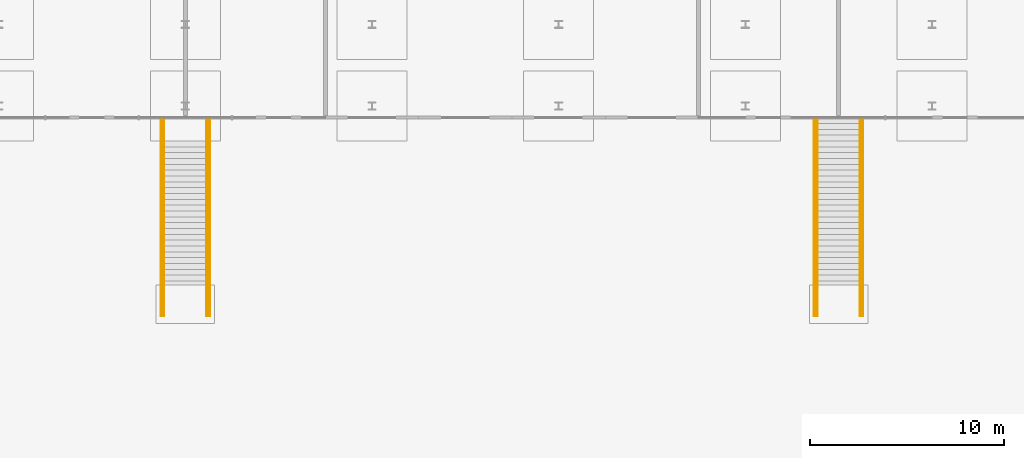
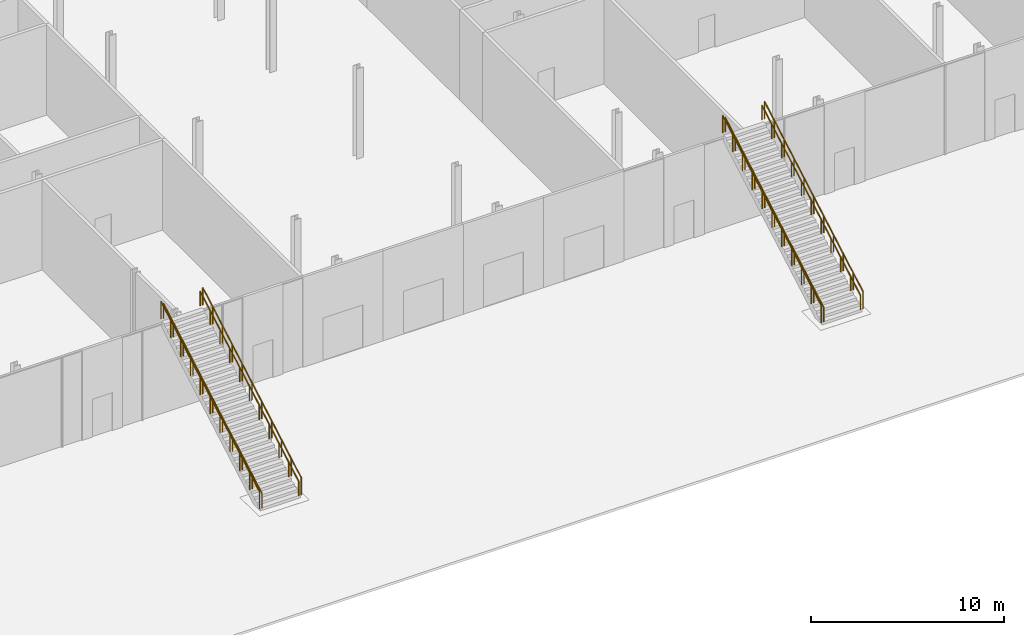
# One storey, part 39 of 44: 8 railings.
"""IFC4 building model written with IfcOpenShell, lengths in metres."""

from ifc_helpers import new_model, si_unit, direction, frame, origin, origin_2d, place, context, subcontext, project, spatial, circle, extrude, material, type_object, element, save


model = new_model("IFC4")

# Units and contexts
model_context = context("Model", 3, precision=1e-05, world=origin(), true_north=direction((0.0, 1.0)))
body_context = subcontext(model_context, "Body", "Model", "MODEL_VIEW")
ifc_project = project(units=[si_unit("LENGTHUNIT", "METRE"), si_unit("AREAUNIT", "SQUARE_METRE"), si_unit("VOLUMEUNIT", "CUBIC_METRE"), si_unit("PLANEANGLEUNIT", "RADIAN"), si_unit("MASSUNIT", "GRAM", prefix="KILO")], contexts=[model_context])

# Site, building, storey
site_placement = place(None, origin())
site = spatial("IfcSite", under=ifc_project, at=site_placement, CompositionType="ELEMENT")
building_placement = place(site_placement, origin())
building = spatial("IfcBuilding", under=site, at=building_placement, Name="Madar Terraces", CompositionType="ELEMENT")
storey_placement = place(building_placement, origin())
storey = spatial("IfcBuildingStorey", under=building, at=storey_placement, Name="L00", CompositionType="ELEMENT", Elevation=0.0)

# Railings
ifc_material_1 = material(Name="Glass, safety glazing, with stainless steel posts", Category="steel")
railing_type_1 = type_object("IfcRailingType", Name="Cascade stair guard 1100", PredefinedType="GUARDRAIL", material=ifc_material_1)
for number, where, name in (
    (1, (13.14990234375, -63.0, 0.17138671875), "Cascade stair guard L01 1"),
    (2, (15.64990234375, -63.0, 0.17138671875), "Cascade stair guard L01 1"),
    (3, (46.75, -63.0, 0.17138671875), "Cascade stair guard L01 2"),
    (4, (49.25, -63.0, 0.17138671875), "Cascade stair guard L01 2"),
):
    element("IfcRailing", number, at=place(storey_placement, frame(where)), inside=storey, type_object=railing_type_1, Name=name, PredefinedType="GUARDRAIL", context=body_context, shape_type="SweptSolid", body=[
        extrude(circle(Radius=0.02392578125, at=origin_2d()), frame((0.0, 0.0, 1.076171875), z_axis=(0.0, 0.86824058436, 0.496143414419), x_axis=(-1.0, 0.0, 0.0)), (0.0, 0.0, 1.0), 11.747802734375),
        extrude(circle(Radius=0.02099609375, at=origin_2d()), origin(), (0.0, 0.0, 1.0), 1.052001953125),
        extrude(circle(Radius=0.02099609375, at=origin_2d()), frame((0.0, 1.02001953125, 0.582763671875)), (0.0, 0.0, 1.0), 1.052001953125),
        extrude(circle(Radius=0.02099609375, at=origin_2d()), frame((0.0, 2.0400390625, 1.165771484375)), (0.0, 0.0, 1.0), 1.052001953125),
        extrude(circle(Radius=0.02099609375, at=origin_2d()), frame((0.0, 3.06005859375, 1.74853515625)), (0.0, 0.0, 1.0), 1.052001953125),
        extrude(circle(Radius=0.02099609375, at=origin_2d()), frame((0.0, 4.080078125, 2.33154296875)), (0.0, 0.0, 1.0), 1.052001953125),
        extrude(circle(Radius=0.02099609375, at=origin_2d()), frame((0.0, 5.10009765625, 2.914306640625)), (0.0, 0.0, 1.0), 1.052001953125),
        extrude(circle(Radius=0.02099609375, at=origin_2d()), frame((0.0, 6.119873046875, 3.4970703125)), (0.0, 0.0, 1.0), 1.052001953125),
        extrude(circle(Radius=0.02099609375, at=origin_2d()), frame((0.0, 7.139892578125, 4.080078125)), (0.0, 0.0, 1.0), 1.052001953125),
        extrude(circle(Radius=0.02099609375, at=origin_2d()), frame((0.0, 8.159912109375, 4.662841796875)), (0.0, 0.0, 1.0), 1.052001953125),
        extrude(circle(Radius=0.02099609375, at=origin_2d()), frame((0.0, 9.179931640625, 5.245849609375)), (0.0, 0.0, 1.0), 1.052001953125),
        extrude(circle(Radius=0.02099609375, at=origin_2d()), frame((0.0, 10.199951171875, 5.82861328125)), (0.0, 0.0, 1.0), 1.052001953125),
    ])
ifc_material_2 = material(Name="Stainless steel", Category="steel")
railing_type_2 = type_object("IfcRailingType", Name="Cascade stair handrail 920", PredefinedType="HANDRAIL", material=ifc_material_2)
for number, where, name in (
    (5, (13.300048828125, -63.0, 0.17138671875), "Cascade stair handrail L01 1"),
    (6, (15.5, -63.0, 0.17138671875), "Cascade stair handrail L01 1"),
    (7, (46.89990234375, -63.0, 0.17138671875), "Cascade stair handrail L01 2"),
    (8, (49.10009765625, -63.0, 0.17138671875), "Cascade stair handrail L01 2"),
):
    element("IfcRailing", number, at=place(storey_placement, frame(where)), inside=storey, type_object=railing_type_2, Name=name, PredefinedType="HANDRAIL", context=body_context, shape_type="SweptSolid", body=[
        extrude(circle(Radius=0.02392578125, at=origin_2d()), frame((0.0, 0.0, 0.89599609375), z_axis=(0.0, 0.86824058436, 0.496143414419), x_axis=(-1.0, 0.0, 0.0)), (0.0, 0.0, 1.0), 11.747802734375),
        extrude(circle(Radius=0.02099609375, at=origin_2d()), origin(), (0.0, 0.0, 1.0), 0.871826171875),
        extrude(circle(Radius=0.02099609375, at=origin_2d()), frame((0.0, 1.02001953125, 0.582763671875)), (0.0, 0.0, 1.0), 0.871826171875),
        extrude(circle(Radius=0.02099609375, at=origin_2d()), frame((0.0, 2.0400390625, 1.165771484375)), (0.0, 0.0, 1.0), 0.871826171875),
        extrude(circle(Radius=0.02099609375, at=origin_2d()), frame((0.0, 3.06005859375, 1.74853515625)), (0.0, 0.0, 1.0), 0.871826171875),
        extrude(circle(Radius=0.02099609375, at=origin_2d()), frame((0.0, 4.080078125, 2.33154296875)), (0.0, 0.0, 1.0), 0.871826171875),
        extrude(circle(Radius=0.02099609375, at=origin_2d()), frame((0.0, 5.10009765625, 2.914306640625)), (0.0, 0.0, 1.0), 0.871826171875),
        extrude(circle(Radius=0.02099609375, at=origin_2d()), frame((0.0, 6.119873046875, 3.4970703125)), (0.0, 0.0, 1.0), 0.871826171875),
        extrude(circle(Radius=0.02099609375, at=origin_2d()), frame((0.0, 7.139892578125, 4.080078125)), (0.0, 0.0, 1.0), 0.871826171875),
        extrude(circle(Radius=0.02099609375, at=origin_2d()), frame((0.0, 8.159912109375, 4.662841796875)), (0.0, 0.0, 1.0), 0.871826171875),
        extrude(circle(Radius=0.02099609375, at=origin_2d()), frame((0.0, 9.179931640625, 5.245849609375)), (0.0, 0.0, 1.0), 0.871826171875),
        extrude(circle(Radius=0.02099609375, at=origin_2d()), frame((0.0, 10.199951171875, 5.82861328125)), (0.0, 0.0, 1.0), 0.871826171875),
    ])

save(model, "model.ifc")
